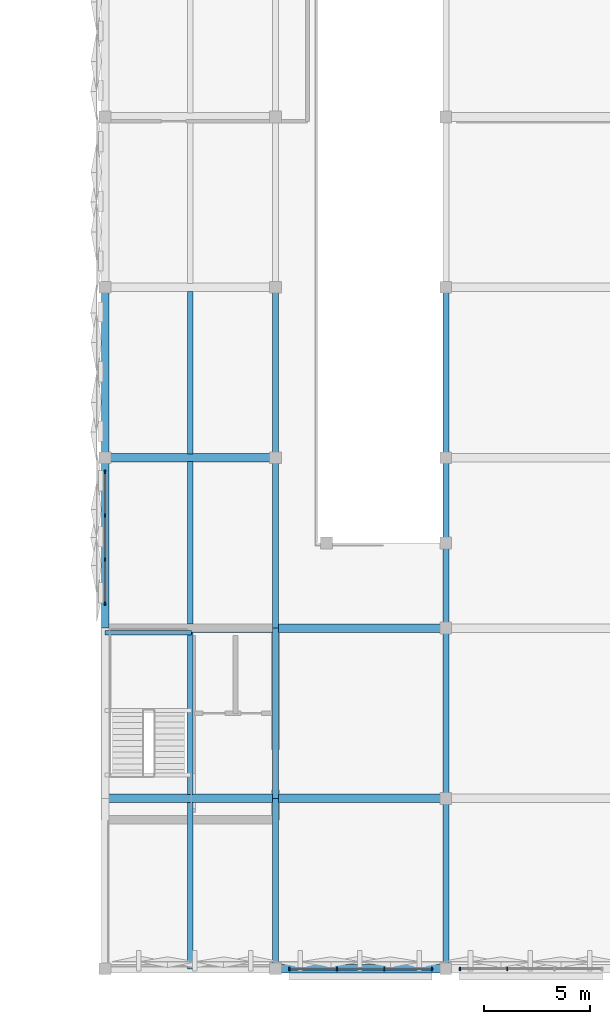
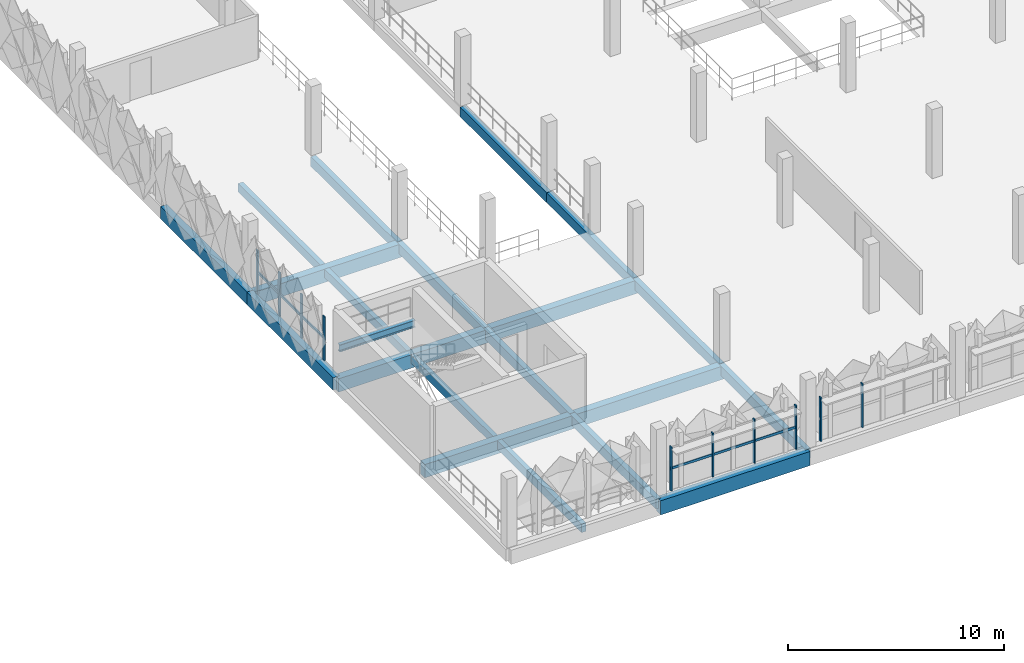
# One storey, part 15 of 83: 21 beams, 12 members, 3 elements without a shape of their own.
"""IFC4 building model written with IfcOpenShell, lengths in metres."""

from ifc_helpers import new_model, si_unit, derived_unit, direction, frame, origin, origin_2d, place, context, subcontext, project, spatial, rectangle, i_section, extrude, material, layer, layer_set, material_profile, profile_set, type_object, element, aggregate, save


model = new_model("IFC4")

# Units and contexts
model_context = context("Model", 3, precision=1e-05, world=origin(), true_north=direction((0.0, 1.0)))
body_context = subcontext(model_context, "Body", "Model", "MODEL_VIEW")
ifc_project = project(units=[si_unit("LENGTHUNIT", "METRE"), si_unit("AREAUNIT", "SQUARE_METRE"), si_unit("VOLUMEUNIT", "CUBIC_METRE"), si_unit("PLANEANGLEUNIT", "RADIAN"), si_unit("MASSUNIT", "GRAM", prefix="KILO"), si_unit("THERMODYNAMICTEMPERATUREUNIT", "KELVIN"), derived_unit("THERMALTRANSMITTANCEUNIT", [(si_unit("POWERUNIT", "WATT"), 1), (si_unit("AREAUNIT", "SQUARE_METRE"), -1), (si_unit("THERMODYNAMICTEMPERATUREUNIT", "KELVIN"), -1)])], contexts=[model_context])

# Site, building, storey
site_placement = place(None, origin())
site = spatial("IfcSite", under=ifc_project, at=site_placement, CompositionType="ELEMENT")
building_placement = place(site_placement, origin())
building = spatial("IfcBuilding", under=site, at=building_placement, Name="Haiyu Intermodal Mobility Hub", CompositionType="ELEMENT")
storey_placement = place(building_placement, frame((0.0, 0.0, 13.39990234375)))
storey = spatial("IfcBuildingStorey", under=building, at=storey_placement, Name="L03", CompositionType="ELEMENT", Elevation=13.39990234375)

# Beams
ifc_material_1 = material(Name="Concrete C40", Category="concrete")
ifc_material_profile_1 = material_profile(ifc_material_1, rectangle(XDim=0.39990234375, YDim=0.75, at=origin_2d()), Name="RCB400x750")
ifc_profile_set_1 = profile_set([ifc_material_profile_1], Name="Concrete C40")
beam_type_1 = type_object("IfcBeamType", Name="BM-CB03", PredefinedType="BEAM", material=ifc_profile_set_1)
for number, where, z_axis, x_axis, name in (
    (1, (154.0, 24.0, -0.635009765625), (1.0, 0.0, 0.0), (0.0, 1.0, 0.0), "BM-V5G-L03-007"),
    (2, (162.0, 24.0, -0.635009765625), (1.0, 0.0, 0.0), (0.0, 1.0, 0.0), "BM-V5G-L03-008"),
    (3, (154.0, 32.0, -0.635009765625), (1.0, 0.0, 0.0), (0.0, 1.0, 0.0), "BM-V5G-L03-014"),
    (4, (162.0, 32.0, -0.635009765625), (1.0, 0.0, 0.0), (0.0, 1.0, 0.0), "BM-V5G-L03-015"),
    (5, (154.0, 40.0, -0.635009765625), (1.0, 0.0, 0.0), (0.0, 1.0, 0.0), "BM-V5G-L03-021"),
):
    element("IfcBeam", number, at=place(storey_placement, frame(where, z_axis=z_axis, x_axis=x_axis)), inside=storey, type_object=beam_type_1, Name=name, PredefinedType="BEAM", context=body_context, shape_type="SweptSolid", body=[
        extrude(rectangle(XDim=0.39990234375, YDim=0.75, at=origin_2d()), origin(), (0.0, 0.0, 1.0), 8.0),
    ])
ifc_material_profile_2 = material_profile(ifc_material_1, rectangle(XDim=0.39990234375, YDim=0.800048828125, at=origin_2d()), Name="RCB400x800")
ifc_profile_set_2 = profile_set([ifc_material_profile_2], Name="Concrete C40")
beam_type_2 = type_object("IfcBeamType", Name="BM-CB05", PredefinedType="BEAM", material=ifc_profile_set_2)
beam_1_placement = place(storey_placement, frame((162.0, 16.0, -0.659912109375), z_axis=(1.0, 0.0, 0.0), x_axis=(0.0, 1.0, 0.0)))
element("IfcBeam", 6, at=beam_1_placement, inside=storey, type_object=beam_type_2, Name="BM-V5G-L03-002", PredefinedType="BEAM", context=body_context, shape_type="SweptSolid", body=[
    extrude(rectangle(XDim=0.39990234375, YDim=0.800048828125, at=origin_2d()), origin(), (0.0, 0.0, 1.0), 8.0),
])
ifc_material_profile_3 = material_profile(ifc_material_1, rectangle(XDim=0.35009765625, YDim=0.699951171875, at=origin_2d()), Name="RCB350x700")
ifc_profile_set_3 = profile_set([ifc_material_profile_3], Name="Concrete C40")
beam_type_3 = type_object("IfcBeamType", Name="BM-CB06", PredefinedType="BEAM", material=ifc_profile_set_3)
for number, where, z_axis, x_axis, name in (
    (7, (154.0, 32.0, -0.60986328125), (0.0, 1.0, 0.0), (-1.0, 0.0, 0.0), "BM-V5T-L03-003"),
    (8, (154.0, 40.0, -0.60986328125), (0.0, 1.0, 0.0), (-1.0, 0.0, 0.0), "BM-V5T-L03-004"),
):
    element("IfcBeam", number, at=place(storey_placement, frame(where, z_axis=z_axis, x_axis=x_axis)), inside=storey, type_object=beam_type_3, Name=name, PredefinedType="BEAM", context=body_context, shape_type="SweptSolid", body=[
        extrude(rectangle(XDim=0.35009765625, YDim=0.699951171875, at=origin_2d()), origin(), (0.0, 0.0, 1.0), 8.0),
    ])
ifc_material_profile_4 = material_profile(ifc_material_1, rectangle(XDim=0.280029296875, YDim=0.5400390625, at=origin_2d()), Name="RCB280x540")
ifc_profile_set_4 = profile_set([ifc_material_profile_4], Name="Concrete C40")
beam_type_4 = type_object("IfcBeamType", Name="BM-CB08", PredefinedType="JOIST", material=ifc_profile_set_4)
for number, where, z_axis, x_axis, name in (
    (9, (162.0, 16.0, -0.52978515625), (0.0, 1.0, 0.0), (-1.0, 0.0, 0.0), "BM-V5T-L03-009"),
    (10, (162.0, 24.0, -0.52978515625), (0.0, 1.0, 0.0), (-1.0, 0.0, 0.0), "BM-V5T-L03-010"),
    (11, (162.0, 32.0, -0.52978515625), (0.0, 1.0, 0.0), (-1.0, 0.0, 0.0), "BM-V5T-L03-011"),
    (12, (162.0, 40.0, -0.52978515625), (0.0, 1.0, 0.0), (-1.0, 0.0, 0.0), "BM-V5T-L03-012"),
    (13, (170.0, 16.0, -0.52978515625), (0.0, 1.0, 0.0), (-1.0, 0.0, 0.0), "BM-V5T-L03-017"),
    (14, (170.0, 24.0, -0.52978515625), (0.0, 1.0, 0.0), (-1.0, 0.0, 0.0), "BM-V5T-L03-018"),
    (15, (170.0, 32.0, -0.52978515625), (0.0, 1.0, 0.0), (-1.0, 0.0, 0.0), "BM-V5T-L03-019"),
    (16, (170.0, 40.0, -0.52978515625), (0.0, 1.0, 0.0), (-1.0, 0.0, 0.0), "BM-V5T-L03-020"),
):
    element("IfcBeam", number, at=place(storey_placement, frame(where, z_axis=z_axis, x_axis=x_axis)), inside=storey, type_object=beam_type_4, Name=name, PredefinedType="JOIST", context=body_context, shape_type="SweptSolid", body=[
        extrude(rectangle(XDim=0.280029296875, YDim=0.5400390625, at=origin_2d()), origin(), (0.0, 0.0, 1.0), 8.0),
    ])
ifc_material_profile_5 = material_profile(ifc_material_1, rectangle(XDim=0.25, YDim=0.47998046875, at=origin_2d()), Name="RCB250x480")
ifc_profile_set_5 = profile_set([ifc_material_profile_5], Name="Concrete C40")
beam_type_5 = type_object("IfcBeamType", Name="BM-CB09", PredefinedType="JOIST", material=ifc_profile_set_5)
beam_2_placement = place(storey_placement, frame((158.0, 16.0, -0.5), z_axis=(0.0, 1.0, 0.0), x_axis=(-1.0, 0.0, 0.0)))
element("IfcBeam", 17, at=beam_2_placement, inside=storey, type_object=beam_type_5, Name="BM-V5J-L03-001", PredefinedType="JOIST", context=body_context, shape_type="SweptSolid", body=[
    extrude(rectangle(XDim=0.25, YDim=0.47998046875, at=origin_2d()), origin(), (0.0, 0.0, 1.0), 7.81494140625),
])
for number, where, z_axis, x_axis, name in (
    (18, (158.0, 24.18505859375, -0.5), (0.0, 1.0, 0.0), (-1.0, 0.0, 0.0), "BM-V5J-L03-002"),
    (19, (158.0, 32.18505859375, -0.5), (0.0, 1.0, 0.0), (-1.0, 0.0, 0.0), "BM-V5J-L03-003"),
    (20, (158.0, 40.18505859375, -0.5), (0.0, 1.0, 0.0), (-1.0, 0.0, 0.0), "BM-V5J-L03-004"),
):
    element("IfcBeam", number, at=place(storey_placement, frame(where, z_axis=z_axis, x_axis=x_axis)), inside=storey, type_object=beam_type_5, Name=name, PredefinedType="JOIST", context=body_context, shape_type="SweptSolid", body=[
        extrude(rectangle(XDim=0.25, YDim=0.47998046875, at=origin_2d()), origin(), (0.0, 0.0, 1.0), 7.6298828125),
    ])
ifc_material_2 = material(Name="Steel Q355C", Category="steel")
ifc_material_profile_6 = material_profile(ifc_material_2, i_section(OverallWidth=0.199951171875, OverallDepth=0.39990234375, WebThickness=0.008056640625, FlangeThickness=0.012939453125, FilletRadius=0.01611328125, at=origin_2d()), Name="HN400x200x8x13")
ifc_profile_set_6 = profile_set([ifc_material_profile_6], Name="Steel Q355C")
beam_type_6 = type_object("IfcBeamType", Name="BM-SB08", PredefinedType="JOIST", material=ifc_profile_set_6)
beam_3_placement = place(storey_placement, frame((154.0, 31.780029296875, 1.525146484375), z_axis=(1.0, 0.0, 0.0), x_axis=(0.0, 1.0, 0.0)))
element("IfcBeam", 21, at=beam_3_placement, inside=storey, type_object=beam_type_6, Name="Stair Half-Landing Rear Beam C8-L03", PredefinedType="JOIST", context=body_context, shape_type="SweptSolid", body=[
    extrude(i_section(OverallWidth=0.199951171875, OverallDepth=0.39990234375, WebThickness=0.008056640625, FlangeThickness=0.012939453125, FilletRadius=0.01611328125, at=origin_2d()), origin(), (0.0, 0.0, 1.0), 4.050048828125),
])

# Curtain wall, members
ifc_material_3 = material(Name="Low-e laminated insulating glass", Category="glass")
ifc_layer = layer(ifc_material_3, 0.2099609375)
ifc_layer_set = layer_set([ifc_layer], Name="Low-e laminated insulating glass")
curtain_wall_type = type_object("IfcCurtainWallType", Name="CW-CW04", PredefinedType="NOTDEFINED", material=ifc_layer_set)
curtain_wall_1_placement = place(storey_placement, origin())
curtain_wall_1 = element("IfcCurtainWall", 22, at=curtain_wall_1_placement, inside=storey, type_object=curtain_wall_type, Name="Curtain Wall CW-V5S-L03-118", PredefinedType="NOTDEFINED")
ifc_material_4 = material(Name="Anodised aluminium 6063-T6", Category="aluminium")
ifc_material_profile_7 = material_profile(ifc_material_4, rectangle(XDim=0.06494140625, YDim=0.1650390625, at=origin_2d()), Name="ALU65x165")
ifc_profile_set_7 = profile_set([ifc_material_profile_7], Name="Anodised aluminium 6063-T6")
member_type_1 = type_object("IfcMemberType", Name="CWM-ML02", PredefinedType="MULLION", material=ifc_profile_set_7)
member_1_placement = place(storey_placement, frame((162.659912109375, 16.0, 0.0), z_axis=(0.0, 0.0, 1.0), x_axis=(1.0, 0.0, 0.0)))
member_1 = element("IfcMember", 23, at=member_1_placement, type_object=member_type_1, Name="CW-V5S-L03-118-ML01", PredefinedType="MULLION", context=body_context, shape_type="SweptSolid", body=[
    extrude(rectangle(XDim=0.06494140625, YDim=0.1650390625, at=origin_2d()), origin(), (0.0, 0.0, 1.0), 2.47998046875),
])
member_2_placement = place(storey_placement, frame((164.886962890625, 16.0, 0.0), z_axis=(0.0, 0.0, 1.0), x_axis=(1.0, 0.0, 0.0)))
member_2 = element("IfcMember", 24, at=member_2_placement, type_object=member_type_1, Name="CW-V5S-L03-118-ML02", PredefinedType="MULLION", context=body_context, shape_type="SweptSolid", body=[
    extrude(rectangle(XDim=0.06494140625, YDim=0.1650390625, at=origin_2d()), origin(), (0.0, 0.0, 1.0), 2.47998046875),
])
member_3_placement = place(storey_placement, frame((167.113037109375, 16.0, 0.0), z_axis=(0.0, 0.0, 1.0), x_axis=(1.0, 0.0, 0.0)))
member_3 = element("IfcMember", 25, at=member_3_placement, type_object=member_type_1, Name="CW-V5S-L03-118-ML03", PredefinedType="MULLION", context=body_context, shape_type="SweptSolid", body=[
    extrude(rectangle(XDim=0.06494140625, YDim=0.1650390625, at=origin_2d()), origin(), (0.0, 0.0, 1.0), 2.47998046875),
])
member_4_placement = place(storey_placement, frame((169.340087890625, 16.0, 0.0), z_axis=(0.0, 0.0, 1.0), x_axis=(1.0, 0.0, 0.0)))
member_4 = element("IfcMember", 26, at=member_4_placement, type_object=member_type_1, Name="CW-V5S-L03-118-ML04", PredefinedType="MULLION", context=body_context, shape_type="SweptSolid", body=[
    extrude(rectangle(XDim=0.06494140625, YDim=0.1650390625, at=origin_2d()), origin(), (0.0, 0.0, 1.0), 2.47998046875),
])

curtain_wall_2_placement = place(storey_placement, origin())
curtain_wall_2 = element("IfcCurtainWall", 27, at=curtain_wall_2_placement, inside=storey, type_object=curtain_wall_type, Name="Curtain Wall CW-V5S-L03-119", PredefinedType="NOTDEFINED")
member_5_placement = place(storey_placement, frame((170.659912109375, 16.0, 0.0), z_axis=(0.0, 0.0, 1.0), x_axis=(1.0, 0.0, 0.0)))
member_5 = element("IfcMember", 28, at=member_5_placement, type_object=member_type_1, Name="CW-V5S-L03-119-ML01", PredefinedType="MULLION", context=body_context, shape_type="SweptSolid", body=[
    extrude(rectangle(XDim=0.06494140625, YDim=0.1650390625, at=origin_2d()), origin(), (0.0, 0.0, 1.0), 2.47998046875),
])
member_6_placement = place(storey_placement, frame((172.886962890625, 16.0, 0.0), z_axis=(0.0, 0.0, 1.0), x_axis=(1.0, 0.0, 0.0)))
member_6 = element("IfcMember", 29, at=member_6_placement, type_object=member_type_1, Name="CW-V5S-L03-119-ML02", PredefinedType="MULLION", context=body_context, shape_type="SweptSolid", body=[
    extrude(rectangle(XDim=0.06494140625, YDim=0.1650390625, at=origin_2d()), origin(), (0.0, 0.0, 1.0), 2.47998046875),
])
aggregate(curtain_wall_2, [member_5, member_6])

curtain_wall_3_placement = place(storey_placement, origin())
curtain_wall_3 = element("IfcCurtainWall", 30, at=curtain_wall_3_placement, inside=storey, type_object=curtain_wall_type, Name="Curtain Wall CW-V5W-L03-129", PredefinedType="NOTDEFINED")
member_7_placement = place(storey_placement, frame((154.0, 39.340087890625, 0.0), z_axis=(0.0, 0.0, 1.0), x_axis=(1.0, 0.0, 0.0)))
member_7 = element("IfcMember", 31, at=member_7_placement, type_object=member_type_1, Name="CW-V5W-L03-129-ML01", PredefinedType="MULLION", context=body_context, shape_type="SweptSolid", body=[
    extrude(rectangle(XDim=0.06494140625, YDim=0.1650390625, at=origin_2d()), origin(), (0.0, 0.0, 1.0), 2.47998046875),
])
member_8_placement = place(storey_placement, frame((154.0, 37.280029296875, 0.0), z_axis=(0.0, 0.0, 1.0), x_axis=(1.0, 0.0, 0.0)))
member_8 = element("IfcMember", 32, at=member_8_placement, type_object=member_type_1, Name="CW-V5W-L03-129-ML02", PredefinedType="MULLION", context=body_context, shape_type="SweptSolid", body=[
    extrude(rectangle(XDim=0.06494140625, YDim=0.1650390625, at=origin_2d()), origin(), (0.0, 0.0, 1.0), 2.47998046875),
])
member_9_placement = place(storey_placement, frame((154.0, 35.219970703125, 0.0), z_axis=(0.0, 0.0, 1.0), x_axis=(1.0, 0.0, 0.0)))
member_9 = element("IfcMember", 33, at=member_9_placement, type_object=member_type_1, Name="CW-V5W-L03-129-ML03", PredefinedType="MULLION", context=body_context, shape_type="SweptSolid", body=[
    extrude(rectangle(XDim=0.06494140625, YDim=0.1650390625, at=origin_2d()), origin(), (0.0, 0.0, 1.0), 2.47998046875),
])
member_10_placement = place(storey_placement, frame((154.0, 33.159912109375, 0.0), z_axis=(0.0, 0.0, 1.0), x_axis=(1.0, 0.0, 0.0)))
member_10 = element("IfcMember", 34, at=member_10_placement, type_object=member_type_1, Name="CW-V5W-L03-129-ML04", PredefinedType="MULLION", context=body_context, shape_type="SweptSolid", body=[
    extrude(rectangle(XDim=0.06494140625, YDim=0.1650390625, at=origin_2d()), origin(), (0.0, 0.0, 1.0), 2.47998046875),
])

# Member
ifc_material_profile_8 = material_profile(ifc_material_4, rectangle(XDim=0.06494140625, YDim=0.135009765625, at=origin_2d()), Name="ALU65x135")
ifc_profile_set_8 = profile_set([ifc_material_profile_8], Name="Anodised aluminium 6063-T6")
member_type_2 = type_object("IfcMemberType", Name="CWM-TR02", PredefinedType="USERDEFINED", material=ifc_profile_set_8)
member_11_placement = place(storey_placement, frame((162.6201171875, 16.0, 1.239990234375), z_axis=(1.0, 0.0, 0.0), x_axis=(0.0, 1.0, 0.0)))
member_11 = element("IfcMember", 35, at=member_11_placement, type_object=member_type_2, Name="CW-V5S-L03-118-TR01", ObjectType="TRANSOM", PredefinedType="USERDEFINED", context=body_context, shape_type="SweptSolid", body=[
    extrude(rectangle(XDim=0.06494140625, YDim=0.135009765625, at=origin_2d()), origin(), (0.0, 0.0, 1.0), 6.759765625),
])

aggregate(curtain_wall_1, [member_1, member_2, member_3, member_4, member_11])

member_12_placement = place(storey_placement, frame((154.0, 39.3798828125, 1.239990234375), z_axis=(0.0, -1.0, 0.0), x_axis=(1.0, 0.0, 0.0)))
member_12 = element("IfcMember", 36, at=member_12_placement, type_object=member_type_2, Name="CW-V5W-L03-129-TR01", ObjectType="TRANSOM", PredefinedType="USERDEFINED", context=body_context, shape_type="SweptSolid", body=[
    extrude(rectangle(XDim=0.06494140625, YDim=0.135009765625, at=origin_2d()), origin(), (0.0, 0.0, 1.0), 6.259765625),
])

aggregate(curtain_wall_3, [member_7, member_8, member_9, member_10, member_12])

save(model, "model.ifc")
